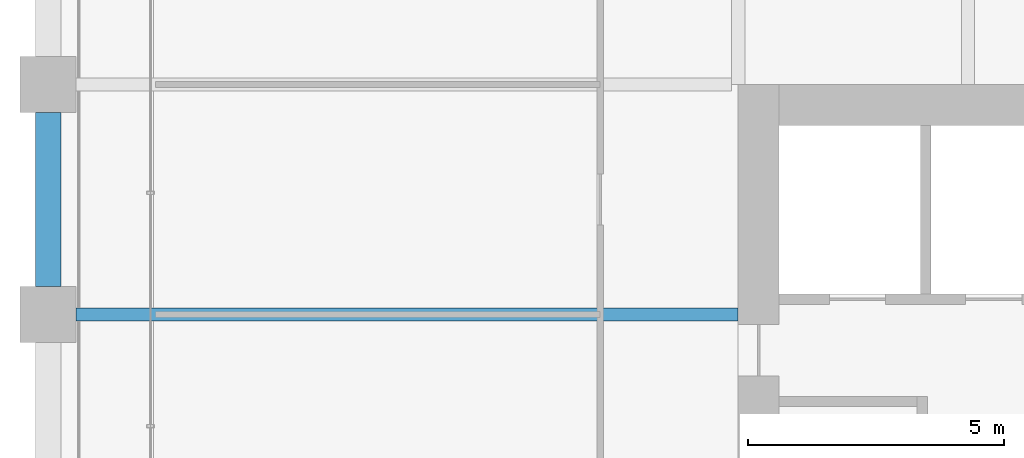
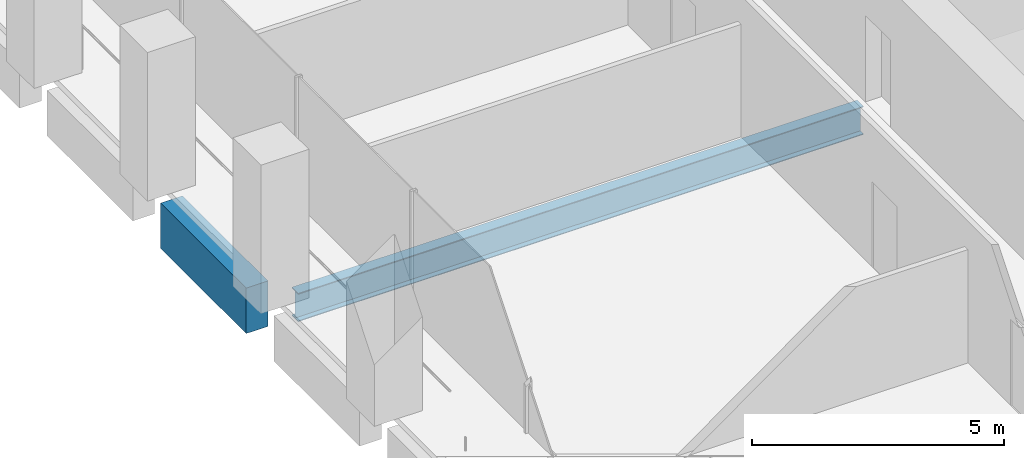
# One storey, part 13 of 56: 2 beams.
"""IFC4 building model written with IfcOpenShell, lengths in metres."""

from ifc_helpers import new_model, si_unit, direction, frame, origin, origin_2d, place, context, subcontext, project, spatial, rectangle, i_section, extrude, material, material_profile, profile_set, type_object, element, save


model = new_model("IFC4")

# Units and contexts
model_context = context("Model", 3, precision=1e-05, world=origin(), true_north=direction((0.0, 1.0)))
body_context = subcontext(model_context, "Body", "Model", "MODEL_VIEW")
ifc_project = project(units=[si_unit("LENGTHUNIT", "METRE"), si_unit("AREAUNIT", "SQUARE_METRE"), si_unit("VOLUMEUNIT", "CUBIC_METRE"), si_unit("PLANEANGLEUNIT", "RADIAN"), si_unit("MASSUNIT", "GRAM", prefix="KILO")], contexts=[model_context])

# Site, building, storey
site_placement = place(None, origin())
site = spatial("IfcSite", under=ifc_project, at=site_placement, CompositionType="ELEMENT")
building_placement = place(site_placement, origin())
building = spatial("IfcBuilding", under=site, at=building_placement, Name="Altepetl Exchange Towers", CompositionType="ELEMENT")
storey_placement = place(building_placement, frame((0.0, 0.0, 51.0)))
storey = spatial("IfcBuildingStorey", under=building, at=storey_placement, Name="L11", CompositionType="ELEMENT", Elevation=51.0)

# Beams
ifc_material_1 = material(Name="Steel S355", Category="steel")
ifc_material_profile_1 = material_profile(ifc_material_1, i_section(OverallWidth=0.25390625, OverallDepth=0.68408203125, WebThickness=0.012451171875, FlangeThickness=0.018798828125, at=origin_2d()), Name="W27X94")
ifc_profile_set_1 = profile_set([ifc_material_profile_1], Name="Steel S355")
beam_type_1 = type_object("IfcBeamType", Name="Floor beam W27X94", PredefinedType="BEAM", material=ifc_profile_set_1)
beam_1_placement = place(storey_placement, frame((27.550048828125, 54.0, -0.491943359375), z_axis=(1.0, 0.0, 0.0), x_axis=(0.0, 1.0, 0.0)))
element("IfcBeam", 1, at=beam_1_placement, inside=storey, type_object=beam_type_1, Name="bm:A:L11:020", PredefinedType="BEAM", context=body_context, shape_type="SweptSolid", body=[
    extrude(i_section(OverallWidth=0.25390625, OverallDepth=0.68408203125, WebThickness=0.012451171875, FlangeThickness=0.018798828125, at=origin_2d()), origin(), (0.0, 0.0, 1.0), 12.949951171875),
])
ifc_material_2 = material(Name="Concrete C50/60 precast with tezontle facing", Category="concrete")
ifc_material_profile_2 = material_profile(ifc_material_2, rectangle(XDim=0.5, YDim=1.10009765625, at=origin_2d()), Name="500 x 1100")
ifc_profile_set_2 = profile_set([ifc_material_profile_2], Name="Concrete C50/60 precast with tezontle facing")
beam_type_2 = type_object("IfcBeamType", Name="Spandrel beam 500x1100 tezontle", PredefinedType="SPANDREL", material=ifc_profile_set_2)
beam_2_placement = place(storey_placement, frame((27.0, 57.949951171875, -0.699951171875), z_axis=(0.0, -1.0, 0.0), x_axis=(1.0, 0.0, 0.0)))
element("IfcBeam", 2, at=beam_2_placement, inside=storey, type_object=beam_type_2, Name="sp:A:L11:038", PredefinedType="SPANDREL", context=body_context, shape_type="SweptSolid", body=[
    extrude(rectangle(XDim=0.5, YDim=1.10009765625, at=origin_2d()), origin(), (0.0, 0.0, 1.0), 3.39990234375),
])

save(model, "model.ifc")
